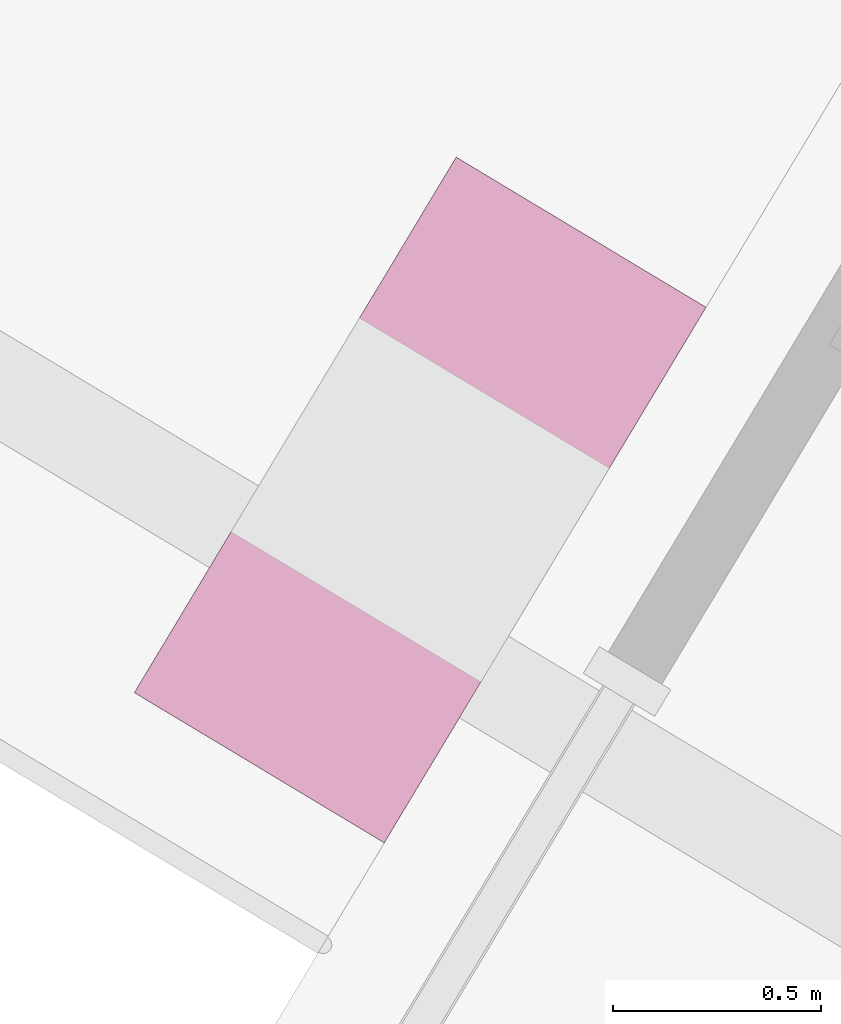
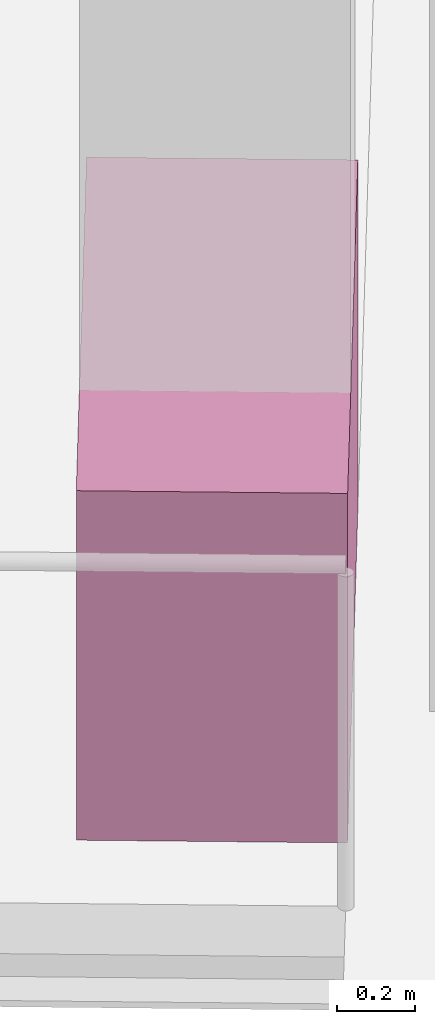
# One storey, part 17 of 18: 1 furniture element.
"""IFC4 building model written with IfcOpenShell, lengths in metres."""

from ifc_helpers import new_model, si_unit, direction, frame, origin, origin_2d, place, context, subcontext, project, spatial, rectangle, extrude, source, transform, mapped, material, type_object, element, save


model = new_model("IFC4")

# Units and contexts
model_context = context("Model", 3, precision=1e-05, world=origin(), true_north=direction((0.0, 1.0)))
body_context = subcontext(model_context, "Body", "Model", "MODEL_VIEW")
ifc_project = project(units=[si_unit("LENGTHUNIT", "METRE"), si_unit("AREAUNIT", "SQUARE_METRE"), si_unit("VOLUMEUNIT", "CUBIC_METRE"), si_unit("PLANEANGLEUNIT", "RADIAN"), si_unit("MASSUNIT", "GRAM", prefix="KILO")], contexts=[model_context])

# Site, building, storey
site_placement = place(None, origin())
site = spatial("IfcSite", under=ifc_project, at=site_placement, CompositionType="ELEMENT")
building_placement = place(site_placement, origin())
building = spatial("IfcBuilding", under=site, at=building_placement, Name="Triune Harvest Tower", CompositionType="ELEMENT")
storey_placement = place(building_placement, frame((0.0, 0.0, 197.89990234375)))
storey = spatial("IfcBuildingStorey", under=building, at=storey_placement, Name="L51", CompositionType="ELEMENT", Elevation=197.89990234375)

# Furniture
ifc_material = material(Name="Concrete 40 MPa", Category="concrete")
furniture_type = type_object("IfcFurnitureType", Name="PB-1 structural planter", AssemblyPlace="SITE", PredefinedType="USERDEFINED", material=ifc_material)
shared_shape = source(origin(), body_context, "Body", "SweptSolid", [
    extrude(rectangle(XDim=1.5, YDim=0.699951171875, at=origin_2d()), origin(), (0.0, 0.0, 1.0), 1.10009765625),
])
furniture_placement = place(storey_placement, frame((-14.79345703125, 16.788330078125, 0.0), z_axis=(0.0, 0.0, 1.0), x_axis=(-0.515036632219, -0.857168167557, 0.0)))
element("IfcFurniture", 1, at=furniture_placement, inside=storey, type_object=furniture_type, Name="Planter B5-F3 L51.4b", ObjectType="PLANTER", PredefinedType="USERDEFINED", context=body_context, shape_type="MappedRepresentation", body=[
    mapped(shared_shape, transform((0.0, 0.0, 0.0), scale=1.0)),
])

save(model, "model.ifc")
